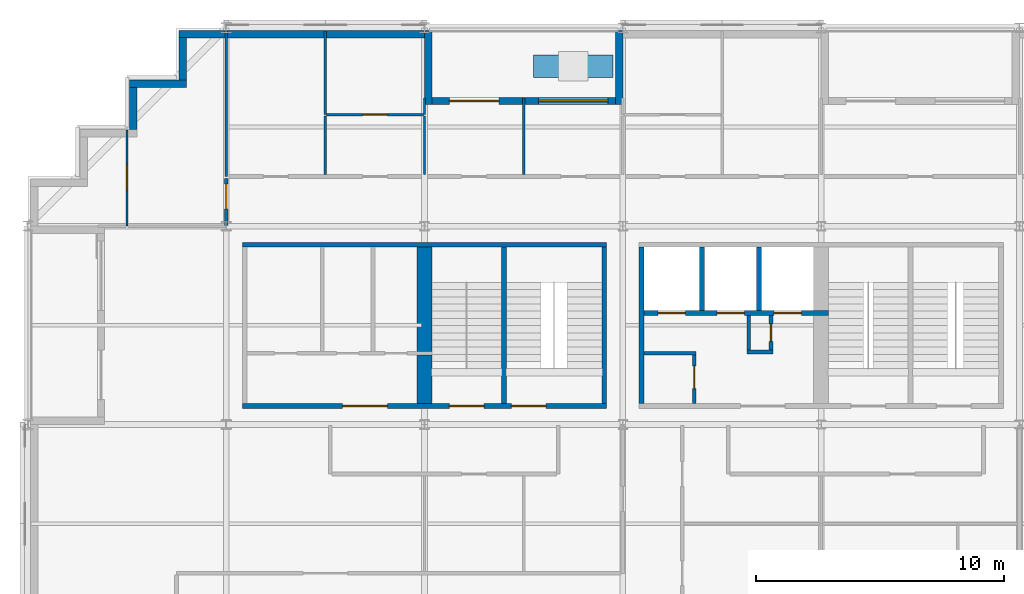
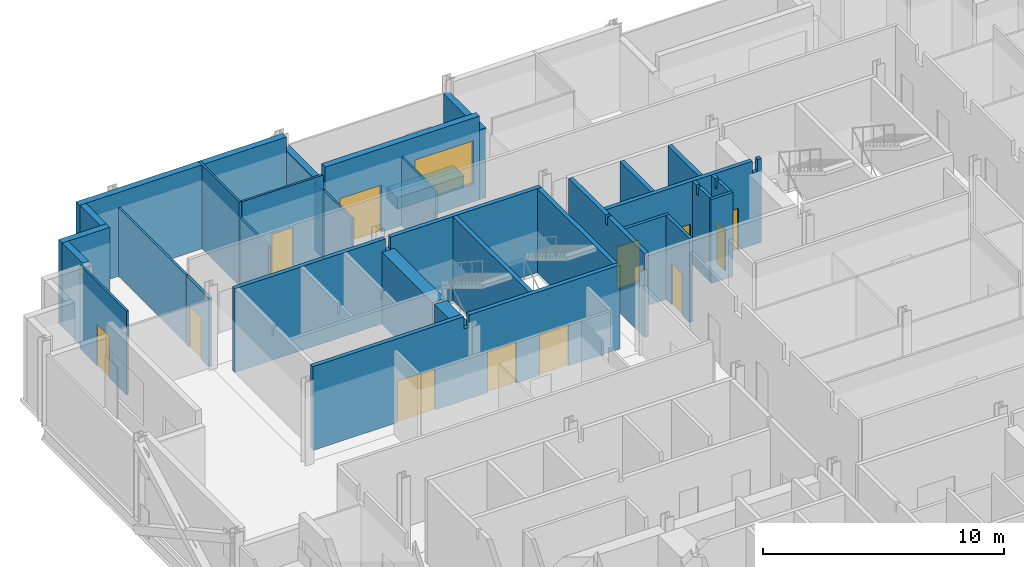
# One storey, part 10 of 15: 32 walls, 12 doors, 1 window, 13 openings.
"""IFC4 building model written with IfcOpenShell, lengths in metres."""

from ifc_helpers import new_model, si_unit, direction, frame, frame_2d, origin, place, context, subcontext, project, spatial, polyline, rectangle, outline, extrude, material, layer, layer_set, type_object, element, fill, save


model = new_model("IFC4")

# Units and contexts
model_context = context("Model", 3, precision=1e-05, world=origin(), true_north=direction((0.0, 1.0)))
body_context = subcontext(model_context, "Body", "Model", "MODEL_VIEW")
ifc_project = project(units=[si_unit("LENGTHUNIT", "METRE"), si_unit("AREAUNIT", "SQUARE_METRE"), si_unit("VOLUMEUNIT", "CUBIC_METRE"), si_unit("PLANEANGLEUNIT", "RADIAN"), si_unit("MASSUNIT", "GRAM", prefix="KILO")], contexts=[model_context])

# Site, building, storey
site_placement = place(None, origin())
site = spatial("IfcSite", under=ifc_project, at=site_placement, CompositionType="ELEMENT")
building_placement = place(site_placement, origin())
building = spatial("IfcBuilding", under=site, at=building_placement, Name="Immortelle Media Tower", CompositionType="ELEMENT")
storey_placement = place(building_placement, frame((0.0, 0.0, 70.0)))
storey = spatial("IfcBuildingStorey", under=building, at=storey_placement, Name="L12", CompositionType="ELEMENT", Elevation=70.0)

# Wall
ifc_material_1 = material(Name="Fire-rated gypsum board", Category="gypsum")
ifc_layer_1 = layer(ifc_material_1, 0.02490234375)
ifc_material_2 = material(Name="Steel ASTM A653 SS Gr 50 stud frame with mineral wool", Category="steel")
ifc_layer_2 = layer(ifc_material_2, 0.10009765625)
ifc_layer_3 = layer(ifc_material_1, 0.02490234375)
ifc_layer_set_1 = layer_set([ifc_layer_1, ifc_layer_2, ifc_layer_3], Name="Steel ASTM A653 SS Gr 50 stud frame with mineral wool")
wall_type_1 = type_object("IfcWallType", Name="Core partition 150", PredefinedType="PARTITIONING", material=ifc_layer_set_1)
wall_1_placement = place(storey_placement, frame((24.85009765625, 34.875, 0.0), z_axis=(0.0, 0.0, 1.0), x_axis=(1.0, 0.0, 0.0)))
element("IfcWall", 1, at=wall_1_placement, inside=storey, type_object=wall_type_1, Name="Core partition NE", PredefinedType="PARTITIONING", context=body_context, shape_type="SweptSolid", body=[
    extrude(rectangle(XDim=2.099853515625, YDim=0.14990234375, at=frame_2d((1.0498046875, 0.0))), origin(), (0.0, 0.0, 1.0), 4.25),
])

# Wall, opening, door
wall_2_placement = place(storey_placement, frame((26.875, 32.85009765625, 0.0), z_axis=(0.0, 0.0, 1.0), x_axis=(0.0, 1.0, 0.0)))
wall_2 = element("IfcWall", 2, at=wall_2_placement, inside=storey, type_object=wall_type_1, Name="Core partition NE", PredefinedType="PARTITIONING", context=body_context, shape_type="SweptSolid", body=[
    extrude(rectangle(XDim=1.949951171875, YDim=0.14990234375, at=frame_2d((0.97509765625, 0.0))), origin(), (0.0, 0.0, 1.0), 4.25),
])
opening_1_placement = place(wall_2_placement, frame((0.60009765625, 0.0, 0.0)))
opening_1 = element("IfcOpeningElement", 3, at=opening_1_placement, cuts=wall_2, Name="Opening N3-K029", PredefinedType="OPENING", context=body_context, shape_type="SweptSolid", body=[
    extrude(rectangle(XDim=0.89990234375, YDim=2.10009765625, at=frame_2d((0.449951171875, 1.050048828125))), frame((0.0, 0.0849609375, 0.0), z_axis=(0.0, -1.0, 0.0), x_axis=(1.0, 0.0, 0.0)), (0.0, 0.0, 1.0), 0.169921875),
])
ifc_material_3 = material(Name="Galvanised steel door leaf and frame ASTM A653", Category="steel")
door_type_1 = type_object("IfcDoorType", Name="Service door 900 x 2100", OperationType="NOTDEFINED", PredefinedType="NOTDEFINED", material=ifc_material_3)
door_1_placement = place(opening_1_placement, origin())
door_1 = element("IfcDoor", 4, at=door_1_placement, inside=storey, type_object=door_type_1, Name="Service N3-K029", OperationType="SINGLE_SWING_LEFT", OverallHeight=2.10009765625, OverallWidth=0.89990234375, PredefinedType="NOTDEFINED", context=body_context, shape_type="SweptSolid", body=[
    extrude(rectangle(XDim=0.89990234375, YDim=2.10009765625, at=frame_2d((0.449951171875, 1.050048828125))), frame((0.0, 0.02490234375, 0.0), z_axis=(0.0, -1.0, 0.0), x_axis=(1.0, 0.0, 0.0)), (0.0, 0.0, 1.0), 0.050048828125),
])
fill(opening_1, door_1)

# Walls
wall_3_placement = place(storey_placement, frame((29.0, 34.925048828125, 0.0), z_axis=(0.0, 0.0, 1.0), x_axis=(1.0, 0.0, 0.0)))
element("IfcWall", 5, at=wall_3_placement, inside=storey, type_object=wall_type_1, Name="Core partition NE", PredefinedType="PARTITIONING", context=body_context, shape_type="SweptSolid", body=[
    extrude(rectangle(XDim=1.050048828125, YDim=0.14990234375, at=frame_2d((0.52490234375, 0.0))), origin(), (0.0, 0.0, 1.0), 4.25),
])
wall_4_placement = place(storey_placement, frame((29.074951171875, 35.0, 0.0), z_axis=(0.0, 0.0, 1.0), x_axis=(0.0, 1.0, 0.0)))
element("IfcWall", 6, at=wall_4_placement, inside=storey, type_object=wall_type_1, Name="Core partition NE", PredefinedType="PARTITIONING", context=body_context, shape_type="SweptSolid", body=[
    extrude(outline(polyline([(0.0, 0.0), (1.39990234375, 0.0), (1.39990234375, 4.25), (1.08154296875, 4.25), (1.08056640625, 3.7890625), (0.91943359375, 3.7890625), (0.91845703125, 4.25), (0.0, 4.25), (0.0, 0.0)])), frame((0.0, 0.074951171875, 0.0), z_axis=(0.0, -1.0, 0.0), x_axis=(1.0, 0.0, 0.0)), (0.0, 0.0, 1.0), 0.14990234375),
])

# Wall, opening, door
wall_5_placement = place(storey_placement, frame((29.97509765625, 35.0, 0.0), z_axis=(0.0, 0.0, 1.0), x_axis=(0.0, 1.0, 0.0)))
wall_5 = element("IfcWall", 7, at=wall_5_placement, inside=storey, type_object=wall_type_1, Name="Core partition NE", PredefinedType="PARTITIONING", context=body_context, shape_type="SweptSolid", body=[
    extrude(outline(polyline([(0.0, 0.0), (1.39990234375, 0.0), (1.39990234375, 4.25), (1.08154296875, 4.25), (1.08056640625, 3.7890625), (0.91943359375, 3.7890625), (0.91845703125, 4.25), (0.0, 4.25), (0.0, 0.0)])), frame((0.0, 0.074951171875, 0.0), z_axis=(0.0, -1.0, 0.0), x_axis=(1.0, 0.0, 0.0)), (0.0, 0.0, 1.0), 0.14990234375),
])
opening_2_placement = place(wall_5_placement, frame((0.35009765625, 0.0, 0.0)))
opening_2 = element("IfcOpeningElement", 8, at=opening_2_placement, cuts=wall_5, Name="Opening N3-K046", PredefinedType="OPENING", context=body_context, shape_type="SweptSolid", body=[
    extrude(rectangle(XDim=0.699951171875, YDim=2.10009765625, at=frame_2d((0.35009765625, 1.050048828125))), frame((0.0, 0.0849609375, 0.0), z_axis=(0.0, -1.0, 0.0), x_axis=(1.0, 0.0, 0.0)), (0.0, 0.0, 1.0), 0.169921875),
])
door_type_2 = type_object("IfcDoorType", Name="Service door 700 x 2100", OperationType="NOTDEFINED", PredefinedType="NOTDEFINED", material=ifc_material_3)
door_2_placement = place(opening_2_placement, origin())
door_2 = element("IfcDoor", 9, at=door_2_placement, inside=storey, type_object=door_type_2, Name="Service N3-K046", OperationType="SINGLE_SWING_LEFT", OverallHeight=2.10009765625, OverallWidth=0.699951171875, PredefinedType="NOTDEFINED", context=body_context, shape_type="SweptSolid", body=[
    extrude(rectangle(XDim=0.699951171875, YDim=2.10009765625, at=frame_2d((0.35009765625, 1.050048828125))), frame((0.0, 0.02490234375, 0.0), z_axis=(0.0, -1.0, 0.0), x_axis=(1.0, 0.0, 0.0)), (0.0, 0.0, 1.0), 0.050048828125),
])
fill(opening_2, door_2)

# Wall
ifc_layer_4 = layer(ifc_material_1, 0.03759765625)
ifc_layer_5 = layer(ifc_material_2, 0.125)
ifc_layer_6 = layer(ifc_material_1, 0.03759765625)
ifc_layer_set_2 = layer_set([ifc_layer_4, ifc_layer_5, ifc_layer_6], Name="Steel ASTM A653 SS Gr 50 stud frame with mineral wool")
wall_type_2 = type_object("IfcWallType", Name="Core shaft wall 200", PredefinedType="PARTITIONING", material=ifc_layer_set_2)
wall_6_placement = place(storey_placement, frame((24.75, 32.85009765625, 0.0), z_axis=(0.0, 0.0, 1.0), x_axis=(0.0, 1.0, 0.0)))
element("IfcWall", 10, at=wall_6_placement, inside=storey, type_object=wall_type_2, Name="Core shaft wall NE", PredefinedType="PARTITIONING", context=body_context, shape_type="SweptSolid", body=[
    extrude(outline(polyline([(0.0, 0.0), (6.2998046875, 0.0), (6.300048828125, 4.25), (3.2314453125, 4.25), (3.23046875, 3.7890625), (3.069580078125, 3.7890625), (3.068603515625, 4.25), (0.0, 4.25), (0.0, 0.0)])), frame((0.0, 0.10009765625, 0.0), z_axis=(0.0, -1.0, 0.0), x_axis=(1.0, 0.0, 0.0)), (0.0, 0.0, 1.0), 0.199951171875),
])

# Wall, openings, doors
wall_7_placement = place(storey_placement, frame((24.85009765625, 36.5, 0.0), z_axis=(0.0, 0.0, 1.0), x_axis=(1.0, 0.0, 0.0)))
wall_7 = element("IfcWall", 11, at=wall_7_placement, inside=storey, type_object=wall_type_2, Name="Core shaft wall NE", PredefinedType="PARTITIONING", context=body_context, shape_type="SweptSolid", body=[
    extrude(outline(polyline([(0.0, 0.0), (7.449951171875, 0.0), (7.449951171875, 4.25), (7.26953125, 4.25), (7.2685546875, 3.632080078125), (7.031494140625, 3.632080078125), (7.030517578125, 4.25), (0.0, 4.25), (0.0, 0.0)])), frame((0.0, 0.10009765625, 0.0), z_axis=(0.0, -1.0, 0.0), x_axis=(1.0, 0.0, 0.0)), (0.0, 0.0, 1.0), 0.199951171875),
])
opening_3_placement = place(wall_7_placement, frame((0.574951171875, 0.0, 0.0)))
opening_3 = element("IfcOpeningElement", 12, at=opening_3_placement, cuts=wall_7, Name="Opening LD", PredefinedType="OPENING", context=body_context, shape_type="SweptSolid", body=[
    extrude(rectangle(XDim=1.10009765625, YDim=2.10009765625, at=frame_2d((0.550048828125, 1.050048828125))), frame((0.0, 0.10986328125, 0.0), z_axis=(0.0, -1.0, 0.0), x_axis=(1.0, 0.0, 0.0)), (0.0, 0.0, 1.0), 0.219970703125),
])
opening_4_placement = place(wall_7_placement, frame((2.949951171875, 0.0, 0.0)))
opening_4 = element("IfcOpeningElement", 13, at=opening_4_placement, cuts=wall_7, Name="Opening LD", PredefinedType="OPENING", context=body_context, shape_type="SweptSolid", body=[
    extrude(rectangle(XDim=1.10009765625, YDim=2.10009765625, at=frame_2d((0.550048828125, 1.050048828125))), frame((0.0, 0.10986328125, 0.0), z_axis=(0.0, -1.0, 0.0), x_axis=(1.0, 0.0, 0.0)), (0.0, 0.0, 1.0), 0.219970703125),
])
opening_5_placement = place(wall_7_placement, frame((5.25, 0.0, 0.0)))
opening_5 = element("IfcOpeningElement", 14, at=opening_5_placement, cuts=wall_7, Name="Opening LD", PredefinedType="OPENING", context=body_context, shape_type="SweptSolid", body=[
    extrude(rectangle(XDim=1.10009765625, YDim=2.10009765625, at=frame_2d((0.550048828125, 1.050048828125))), frame((0.0, 0.10986328125, 0.0), z_axis=(0.0, -1.0, 0.0), x_axis=(1.0, 0.0, 0.0)), (0.0, 0.0, 1.0), 0.219970703125),
])
ifc_material_4 = material(Name="Stainless steel AISI 304", Category="steel")
door_type_3 = type_object("IfcDoorType", Name="Landing door 1100 x 2100", OperationType="SLIDING_TO_LEFT", PredefinedType="NOTDEFINED", material=ifc_material_4)
door_3_placement = place(opening_3_placement, origin())
door_3 = element("IfcDoor", 15, at=door_3_placement, inside=storey, type_object=door_type_3, Name="Landing door LR1 L12", OperationType="SLIDING_TO_LEFT", OverallHeight=2.10009765625, OverallWidth=1.10009765625, PredefinedType="NOTDEFINED", context=body_context, shape_type="SweptSolid", body=[
    extrude(rectangle(XDim=1.10009765625, YDim=2.10009765625, at=frame_2d((0.550048828125, 1.050048828125))), frame((0.0, 0.02490234375, 0.0), z_axis=(0.0, -1.0, 0.0), x_axis=(1.0, 0.0, 0.0)), (0.0, 0.0, 1.0), 0.050048828125),
])
fill(opening_3, door_3)
door_4_placement = place(opening_4_placement, origin())
door_4 = element("IfcDoor", 16, at=door_4_placement, inside=storey, type_object=door_type_3, Name="Landing door LR2 L12", OperationType="SLIDING_TO_LEFT", OverallHeight=2.10009765625, OverallWidth=1.10009765625, PredefinedType="NOTDEFINED", context=body_context, shape_type="SweptSolid", body=[
    extrude(rectangle(XDim=1.10009765625, YDim=2.10009765625, at=frame_2d((0.550048828125, 1.050048828125))), frame((0.0, 0.02490234375, 0.0), z_axis=(0.0, -1.0, 0.0), x_axis=(1.0, 0.0, 0.0)), (0.0, 0.0, 1.0), 0.050048828125),
])
fill(opening_4, door_4)
door_5_placement = place(opening_5_placement, origin())
door_5 = element("IfcDoor", 17, at=door_5_placement, inside=storey, type_object=door_type_3, Name="Landing door LR3 L12", OperationType="SLIDING_TO_LEFT", OverallHeight=2.10009765625, OverallWidth=1.10009765625, PredefinedType="NOTDEFINED", context=body_context, shape_type="SweptSolid", body=[
    extrude(rectangle(XDim=1.10009765625, YDim=2.10009765625, at=frame_2d((0.550048828125, 1.050048828125))), frame((0.0, 0.02490234375, 0.0), z_axis=(0.0, -1.0, 0.0), x_axis=(1.0, 0.0, 0.0)), (0.0, 0.0, 1.0), 0.050048828125),
])
fill(opening_5, door_5)

# Walls
for number, where, z_axis, x_axis, name in (
    (18, (27.199951171875, 36.60009765625, 0.0), (0.0, 0.0, 1.0), (0.0, 1.0, 0.0), "Core shaft wall NE"),
    (19, (29.5, 36.60009765625, 0.0), (0.0, 0.0, 1.0), (0.0, 1.0, 0.0), "Core shaft wall NE"),
):
    element("IfcWall", number, at=place(storey_placement, frame(where, z_axis=z_axis, x_axis=x_axis)), inside=storey, type_object=wall_type_2, Name=name, PredefinedType="PARTITIONING", context=body_context, shape_type="SweptSolid", body=[
        extrude(rectangle(XDim=2.5498046875, YDim=0.199951171875, at=frame_2d((1.27490234375, 0.0))), origin(), (0.0, 0.0, 1.0), 4.25),
    ])

# Wall, opening, door
ifc_layer_7 = layer(ifc_material_1, 0.012451171875)
ifc_layer_8 = layer(ifc_material_2, 0.125)
ifc_layer_9 = layer(ifc_material_1, 0.012451171875)
ifc_layer_set_3 = layer_set([ifc_layer_7, ifc_layer_8, ifc_layer_9], Name="Steel ASTM A653 SS Gr 50 stud frame with mineral wool")
wall_type_3 = type_object("IfcWallType", Name="Corridor wall 150", PredefinedType="PARTITIONING", material=ifc_layer_set_3)
wall_8_placement = place(storey_placement, frame((8.0, 40.030029296875, 0.0), z_axis=(0.0, 0.0, 1.0), x_axis=(0.0, 1.0, 0.0)))
wall_8 = element("IfcWall", 20, at=wall_8_placement, inside=storey, type_object=wall_type_3, Name="Partition L12-054", PredefinedType="PARTITIONING", context=body_context, shape_type="SweptSolid", body=[
    extrude(rectangle(XDim=1.89501953125, YDim=0.14990234375, at=frame_2d((0.947509765625, 0.0))), origin(), (0.0, 0.0, 1.0), 3.469970703125),
])
opening_6_placement = place(wall_8_placement, frame((0.669921875, 0.0, 0.0)))
opening_6 = element("IfcOpeningElement", 21, at=opening_6_placement, cuts=wall_8, Name="Opening N3-F029", PredefinedType="OPENING", context=body_context, shape_type="SweptSolid", body=[
    extrude(rectangle(XDim=1.0, YDim=2.10009765625, at=frame_2d((0.5, 1.050048828125))), frame((0.0, 0.0849609375, 0.0), z_axis=(0.0, -1.0, 0.0), x_axis=(1.0, 0.0, 0.0)), (0.0, 0.0, 1.0), 0.169921875),
])
ifc_material_5 = material(Name="Timber veneered door leaf, galvanised steel frame ASTM A653", Category="steel")
door_type_4 = type_object("IfcDoorType", Name="Room door 1000 x 2100", OperationType="NOTDEFINED", PredefinedType="DOOR", material=ifc_material_5)
door_6_placement = place(opening_6_placement, origin())
door_6 = element("IfcDoor", 22, at=door_6_placement, inside=storey, type_object=door_type_4, Name="Door N3-F029", OperationType="SINGLE_SWING_LEFT", OverallHeight=2.10009765625, OverallWidth=1.0, PredefinedType="DOOR", context=body_context, shape_type="SweptSolid", body=[
    extrude(rectangle(XDim=1.0, YDim=2.10009765625, at=frame_2d((0.5, 1.050048828125))), frame((0.0, 0.02490234375, 0.0), z_axis=(0.0, -1.0, 0.0), x_axis=(1.0, 0.0, 0.0)), (0.0, 0.0, 1.0), 0.050048828125),
])
fill(opening_6, door_6)

# Wall, openings, door, window
ifc_material_6 = material(Name="Pale aluminium cladding panel", Category="aluminium")
ifc_layer_10 = layer(ifc_material_6, 0.030029296875)
ifc_layer_11 = layer(ifc_material_2, 0.257568359375)
ifc_material_7 = material(Name="Moisture-resistant gypsum board", Category="gypsum")
ifc_layer_12 = layer(ifc_material_7, 0.012451171875)
ifc_layer_set_4 = layer_set([ifc_layer_10, ifc_layer_11, ifc_layer_12], Name="Steel ASTM A653 SS Gr 50 stud frame with mineral wool")
wall_type_4 = type_object("IfcWallType", Name="Facade wall 300", PredefinedType="SOLIDWALL", material=ifc_layer_set_4)
wall_9_placement = place(storey_placement, frame((23.699951171875, 45.050048828125, 0.0), z_axis=(0.0, 0.0, 1.0), x_axis=(-1.0, 0.0, 0.0)))
wall_9 = element("IfcWall", 23, at=wall_9_placement, inside=storey, type_object=wall_type_4, Name="Loggia wall L12 N21", PredefinedType="SOLIDWALL", context=body_context, shape_type="SweptSolid", body=[
    extrude(rectangle(XDim=7.39990234375, YDim=0.300048828125, at=frame_2d((3.699951171875, 0.0))), origin(), (0.0, 0.0, 1.0), 4.25),
])
opening_7_placement = place(wall_9_placement, frame((0.300048828125, 0.0, 0.89990234375)))
opening_7 = element("IfcOpeningElement", 24, at=opening_7_placement, cuts=wall_9, Name="Opening W1", PredefinedType="OPENING", context=body_context, shape_type="SweptSolid", body=[
    extrude(rectangle(XDim=2.800048828125, YDim=2.199951171875, at=frame_2d((1.39990234375, 1.10009765625))), frame((0.0, 0.159912109375, 0.0), z_axis=(0.0, -1.0, 0.0), x_axis=(1.0, 0.0, 0.0)), (0.0, 0.0, 1.0), 0.320068359375),
])
opening_8_placement = place(wall_9_placement, frame((4.699951171875, 0.0, 0.0)))
opening_8 = element("IfcOpeningElement", 25, at=opening_8_placement, cuts=wall_9, Name="Opening N3-E008", PredefinedType="OPENING", context=body_context, shape_type="SweptSolid", body=[
    extrude(rectangle(XDim=2.0, YDim=2.39990234375, at=frame_2d((1.0, 1.199951171875))), frame((0.0, 0.159912109375, 0.0), z_axis=(0.0, -1.0, 0.0), x_axis=(1.0, 0.0, 0.0)), (0.0, 0.0, 1.0), 0.320068359375),
])
ifc_material_8 = material(Name="Aluminium frame, glazed leaves", Category="aluminium")
door_type_5 = type_object("IfcDoorType", Name="Loggia door 2000 x 2400", OperationType="DOUBLE_DOOR_SINGLE_SWING", PredefinedType="DOOR", material=ifc_material_8)
door_7_placement = place(opening_8_placement, origin())
door_7 = element("IfcDoor", 26, at=door_7_placement, inside=storey, type_object=door_type_5, Name="Door N3-E008", OperationType="DOUBLE_DOOR_SINGLE_SWING", OverallHeight=2.39990234375, OverallWidth=2.0, PredefinedType="DOOR", context=body_context, shape_type="SweptSolid", body=[
    extrude(rectangle(XDim=2.0, YDim=2.39990234375, at=frame_2d((1.0, 1.199951171875))), frame((0.0, 0.02490234375, 0.0), z_axis=(0.0, -1.0, 0.0), x_axis=(1.0, 0.0, 0.0)), (0.0, 0.0, 1.0), 0.050048828125),
])
fill(opening_8, door_7)
ifc_material_9 = material(Name="Aluminium frame", Category="aluminium")
window_type = type_object("IfcWindowType", Name="Window 2800 x 2200", PartitioningType="SINGLE_PANEL", PredefinedType="WINDOW", material=ifc_material_9)
window_placement = place(opening_7_placement, origin())
window = element("IfcWindow", 27, at=window_placement, inside=storey, type_object=window_type, Name="Window L12 L12-R21-B2", OverallHeight=2.199951171875, OverallWidth=2.800048828125, PartitioningType="SINGLE_PANEL", PredefinedType="WINDOW", context=body_context, shape_type="SweptSolid", body=[
    extrude(rectangle(XDim=2.800048828125, YDim=2.199951171875, at=frame_2d((1.39990234375, 1.10009765625))), frame((0.0, 0.030029296875, 0.0), z_axis=(0.0, -1.0, 0.0), x_axis=(1.0, 0.0, 0.0)), (0.0, 0.0, 1.0), 0.06005859375),
])
fill(opening_7, window)

# Walls
for number, where, z_axis, x_axis, name in (
    (28, (23.85009765625, 47.89990234375, 0.0), (0.0, 0.0, 1.0), (0.0, -1.0, 0.0), "Loggia cheek wall L12 N"),
    (29, (16.14990234375, 47.89990234375, 0.0), (0.0, 0.0, 1.0), (0.0, -1.0, 0.0), "Loggia cheek wall L12 N"),
):
    element("IfcWall", number, at=place(storey_placement, frame(where, z_axis=z_axis, x_axis=x_axis)), inside=storey, type_object=wall_type_4, Name=name, PredefinedType="SOLIDWALL", context=body_context, shape_type="SweptSolid", body=[
        extrude(rectangle(XDim=3.0, YDim=0.300048828125, at=frame_2d((1.5, 0.0))), origin(), (0.0, 0.0, 1.0), 3.555908203125),
    ])
wall_10_placement = place(storey_placement, frame((16.0, 47.75, 0.0), z_axis=(0.0, 0.0, 1.0), x_axis=(-1.0, 0.0, 0.0)))
element("IfcWall", 30, at=wall_10_placement, inside=storey, type_object=wall_type_4, Name="Facade wall L12 N21", PredefinedType="SOLIDWALL", context=body_context, shape_type="SweptSolid", body=[
    extrude(rectangle(XDim=9.89990234375, YDim=0.300048828125, at=frame_2d((4.949951171875, 0.0))), origin(), (0.0, 0.0, 1.0), 4.25),
])
wall_11_placement = place(storey_placement, frame((6.25, 47.60009765625, 0.0), z_axis=(0.0, 0.0, 1.0), x_axis=(0.0, -1.0, 0.0)))
element("IfcWall", 31, at=wall_11_placement, inside=storey, type_object=wall_type_4, Name="Facade wall L12 W22", PredefinedType="SOLIDWALL", context=body_context, shape_type="SweptSolid", body=[
    extrude(rectangle(XDim=1.7001953125, YDim=0.300048828125, at=frame_2d((0.85009765625, 0.0))), origin(), (0.0, 0.0, 1.0), 4.25),
])
wall_12_placement = place(storey_placement, frame((6.39990234375, 45.75, 0.0), z_axis=(0.0, 0.0, 1.0), x_axis=(-1.0, 0.0, 0.0)))
element("IfcWall", 32, at=wall_12_placement, inside=storey, type_object=wall_type_4, Name="Facade wall L12 N23", PredefinedType="SOLIDWALL", context=body_context, shape_type="SweptSolid", body=[
    extrude(rectangle(XDim=2.2998046875, YDim=0.300048828125, at=frame_2d((1.14990234375, 0.0))), origin(), (0.0, 0.0, 1.0), 4.25),
])
wall_13_placement = place(storey_placement, frame((4.25, 45.60009765625, 0.0), z_axis=(0.0, 0.0, 1.0), x_axis=(0.0, -1.0, 0.0)))
element("IfcWall", 33, at=wall_13_placement, inside=storey, type_object=wall_type_4, Name="Facade wall L12 W24", PredefinedType="SOLIDWALL", context=body_context, shape_type="SweptSolid", body=[
    extrude(rectangle(XDim=1.7001953125, YDim=0.300048828125, at=frame_2d((0.85009765625, 0.0))), origin(), (0.0, 0.0, 1.0), 4.25),
])

# Wall, opening, door
ifc_material_10 = material(Name="Gypsum board", Category="gypsum")
ifc_layer_13 = layer(ifc_material_10, 0.012451171875)
ifc_layer_14 = layer(ifc_material_2, 0.074951171875)
ifc_layer_15 = layer(ifc_material_10, 0.012451171875)
ifc_layer_set_5 = layer_set([ifc_layer_13, ifc_layer_14, ifc_layer_15], Name="Steel ASTM A653 SS Gr 50 stud frame with mineral wool")
wall_type_5 = type_object("IfcWallType", Name="Partition 100", PredefinedType="PARTITIONING", material=ifc_layer_set_5)
wall_14_placement = place(storey_placement, frame((4.0, 40.0, 0.0), z_axis=(0.0, 0.0, 1.0), x_axis=(0.0, 1.0, 0.0)))
wall_14 = element("IfcWall", 34, at=wall_14_placement, inside=storey, type_object=wall_type_5, Name="Partition L12-051", PredefinedType="PARTITIONING", context=body_context, shape_type="SweptSolid", body=[
    extrude(rectangle(XDim=3.8701171875, YDim=0.10009765625, at=frame_2d((1.93505859375, 0.0))), origin(), (0.0, 0.0, 1.0), 4.25),
])
opening_9_placement = place(wall_14_placement, frame((1.449951171875, 0.0, 0.0)))
opening_9 = element("IfcOpeningElement", 35, at=opening_9_placement, cuts=wall_14, Name="Opening N3-F030", PredefinedType="OPENING", context=body_context, shape_type="SweptSolid", body=[
    extrude(rectangle(XDim=1.0, YDim=2.10009765625, at=frame_2d((0.5, 1.050048828125))), frame((0.0, 0.06005859375, 0.0), z_axis=(0.0, -1.0, 0.0), x_axis=(1.0, 0.0, 0.0)), (0.0, 0.0, 1.0), 0.1201171875),
])
door_8_placement = place(opening_9_placement, origin())
door_8 = element("IfcDoor", 36, at=door_8_placement, inside=storey, type_object=door_type_4, Name="Door N3-F030", OperationType="SINGLE_SWING_LEFT", OverallHeight=2.10009765625, OverallWidth=1.0, PredefinedType="DOOR", context=body_context, shape_type="SweptSolid", body=[
    extrude(rectangle(XDim=1.0, YDim=2.10009765625, at=frame_2d((0.5, 1.050048828125))), frame((0.0, 0.02490234375, 0.0), z_axis=(0.0, -1.0, 0.0), x_axis=(1.0, 0.0, 0.0)), (0.0, 0.0, 1.0), 0.050048828125),
])
fill(opening_9, door_8)

# Walls
wall_15_placement = place(storey_placement, frame((8.0, 42.0, 0.0), z_axis=(0.0, 0.0, 1.0), x_axis=(0.0, 1.0, 0.0)))
element("IfcWall", 37, at=wall_15_placement, inside=storey, type_object=wall_type_5, Name="Partition L12-056", PredefinedType="PARTITIONING", context=body_context, shape_type="SweptSolid", body=[
    extrude(rectangle(XDim=5.8701171875, YDim=0.10009765625, at=frame_2d((2.93505859375, 0.0))), origin(), (0.0, 0.0, 1.0), 3.469970703125),
])
for number, where, z_axis, x_axis, name in (
    (38, (12.0, 42.074951171875, 0.0), (0.0, 0.0, 1.0), (0.0, 1.0, 0.0), "Partition L12-057"),
    (39, (16.0, 42.074951171875, 0.0), (0.0, 0.0, 1.0), (0.0, 1.0, 0.0), "Partition L12-058"),
):
    element("IfcWall", number, at=place(storey_placement, frame(where, z_axis=z_axis, x_axis=x_axis)), inside=storey, type_object=wall_type_5, Name=name, PredefinedType="PARTITIONING", context=body_context, shape_type="SweptSolid", body=[
        extrude(rectangle(XDim=2.375, YDim=0.10009765625, at=frame_2d((1.1875, 0.0))), origin(), (0.0, 0.0, 1.0), 3.469970703125),
    ])
wall_16_placement = place(storey_placement, frame((20.0, 42.074951171875, 0.0), z_axis=(0.0, 0.0, 1.0), x_axis=(0.0, 1.0, 0.0)))
element("IfcWall", 40, at=wall_16_placement, inside=storey, type_object=wall_type_5, Name="Partition L12-059", PredefinedType="PARTITIONING", context=body_context, shape_type="SweptSolid", body=[
    extrude(rectangle(XDim=3.094970703125, YDim=0.10009765625, at=frame_2d((1.54736328125, 0.0))), origin(), (0.0, 0.0, 1.0), 3.469970703125),
])

# Wall, opening, door
wall_17_placement = place(storey_placement, frame((12.050048828125, 44.5, 0.0), z_axis=(0.0, 0.0, 1.0), x_axis=(1.0, 0.0, 0.0)))
wall_17 = element("IfcWall", 41, at=wall_17_placement, inside=storey, type_object=wall_type_5, Name="Partition L12-064", PredefinedType="PARTITIONING", context=body_context, shape_type="SweptSolid", body=[
    extrude(rectangle(XDim=3.89990234375, YDim=0.10009765625, at=frame_2d((1.949951171875, 0.0))), origin(), (0.0, 0.0, 1.0), 4.25),
])
opening_10_placement = place(wall_17_placement, frame((1.449951171875, 0.0, 0.0)))
opening_10 = element("IfcOpeningElement", 42, at=opening_10_placement, cuts=wall_17, Name="Opening N3-F037", PredefinedType="OPENING", context=body_context, shape_type="SweptSolid", body=[
    extrude(rectangle(XDim=1.0, YDim=2.10009765625, at=frame_2d((0.5, 1.050048828125))), frame((0.0, 0.06005859375, 0.0), z_axis=(0.0, -1.0, 0.0), x_axis=(1.0, 0.0, 0.0)), (0.0, 0.0, 1.0), 0.1201171875),
])
door_9_placement = place(opening_10_placement, origin())
door_9 = element("IfcDoor", 43, at=door_9_placement, inside=storey, type_object=door_type_4, Name="Door N3-F037", OperationType="SINGLE_SWING_LEFT", OverallHeight=2.10009765625, OverallWidth=1.0, PredefinedType="DOOR", context=body_context, shape_type="SweptSolid", body=[
    extrude(rectangle(XDim=1.0, YDim=2.10009765625, at=frame_2d((0.5, 1.050048828125))), frame((0.0, 0.02490234375, 0.0), z_axis=(0.0, -1.0, 0.0), x_axis=(1.0, 0.0, 0.0)), (0.0, 0.0, 1.0), 0.050048828125),
])
fill(opening_10, door_9)

# Walls
wall_18_placement = place(storey_placement, frame((12.0, 44.5, 0.0), z_axis=(0.0, 0.0, 1.0), x_axis=(0.0, 1.0, 0.0)))
element("IfcWall", 44, at=wall_18_placement, inside=storey, type_object=wall_type_5, Name="Partition L12-065", PredefinedType="PARTITIONING", context=body_context, shape_type="SweptSolid", body=[
    extrude(rectangle(XDim=3.3701171875, YDim=0.10009765625, at=frame_2d((1.68505859375, 0.0))), origin(), (0.0, 0.0, 1.0), 4.25),
])
wall_19_placement = place(storey_placement, frame((16.0, 44.5, 0.0), z_axis=(0.0, 0.0, 1.0), x_axis=(0.0, 1.0, 0.0)))
element("IfcWall", 45, at=wall_19_placement, inside=storey, type_object=wall_type_5, Name="Partition L12-066", PredefinedType="PARTITIONING", context=body_context, shape_type="SweptSolid", body=[
    extrude(rectangle(XDim=0.669921875, YDim=0.10009765625, at=frame_2d((0.3349609375, 0.0))), origin(), (0.0, 0.0, 1.0), 3.469970703125),
])
ifc_layer_16 = layer(ifc_material_6, 0.0029296875)
ifc_material_11 = material(Name="Steel ASTM A572 Gr 50 planter shell", Category="steel")
ifc_layer_17 = layer(ifc_material_11, 0.011962890625)
ifc_material_12 = material(Name="Planting substrate", Category="soil")
ifc_layer_18 = layer(ifc_material_12, 0.873046875)
ifc_layer_19 = layer(ifc_material_11, 0.011962890625)
ifc_layer_set_6 = layer_set([ifc_layer_16, ifc_layer_17, ifc_layer_18, ifc_layer_19], Name="Steel ASTM A572 Gr 50 planter shell")
wall_type_6 = type_object("IfcWallType", Name="Planter wall 900", PredefinedType="SOLIDWALL", material=ifc_layer_set_6)
wall_20_placement = place(storey_placement, frame((23.60009765625, 46.449951171875, 0.0), z_axis=(0.0, 0.0, 1.0), x_axis=(-1.0, 0.0, 0.0)))
element("IfcWall", 46, at=wall_20_placement, inside=storey, type_object=wall_type_6, Name="Planter L12 N2", PredefinedType="SOLIDWALL", context=body_context, shape_type="SweptSolid", body=[
    extrude(rectangle(XDim=3.2001953125, YDim=0.89990234375, at=frame_2d((1.60009765625, 0.0))), origin(), (0.0, 0.0, 1.0), 0.60009765625),
])

# Wall, openings, doors
ifc_material_13 = material(Name="Concrete C60", Category="concrete")
ifc_layer_20 = layer(ifc_material_13, 0.199951171875)
ifc_layer_set_7 = layer_set([ifc_layer_20], Name="Concrete C60")
wall_type_7 = type_object("IfcWallType", Name="Stair shaft wall 200", PredefinedType="PARTITIONING", material=ifc_layer_set_7)
wall_21_placement = place(storey_placement, frame((8.64990234375, 32.75, 0.0), z_axis=(0.0, 0.0, 1.0), x_axis=(1.0, 0.0, 0.0)))
wall_21 = element("IfcWall", 47, at=wall_21_placement, inside=storey, type_object=wall_type_7, Name="Stair shaft wall NW", PredefinedType="PARTITIONING", context=body_context, shape_type="SweptSolid", body=[
    extrude(outline(polyline([(0.0, 0.0), (14.7001953125, 0.0), (14.699951171875, 4.25), (7.469482421875, 4.25), (7.468505859375, 3.632080078125), (7.2314453125, 3.632080078125), (7.23046875, 4.25), (0.0, 4.25), (0.0, 0.0)])), frame((0.0, 0.10009765625, 0.0), z_axis=(0.0, -1.0, 0.0), x_axis=(1.0, 0.0, 0.0)), (0.0, 0.0, 1.0), 0.199951171875),
])
opening_11_placement = place(wall_21_placement, frame((4.050048828125, 0.0, 0.0)))
opening_11 = element("IfcOpeningElement", 48, at=opening_11_placement, cuts=wall_21, Name="Opening N3-K024", PredefinedType="OPENING", context=body_context, shape_type="SweptSolid", body=[
    extrude(rectangle(XDim=1.800048828125, YDim=2.10009765625, at=frame_2d((0.89990234375, 1.050048828125))), frame((0.0, 0.10986328125, 0.0), z_axis=(0.0, -1.0, 0.0), x_axis=(1.0, 0.0, 0.0)), (0.0, 0.0, 1.0), 0.219970703125),
])
opening_12_placement = place(wall_21_placement, frame((8.35009765625, 0.0, 0.0)))
opening_12 = element("IfcOpeningElement", 49, at=opening_12_placement, cuts=wall_21, Name="Opening N3-K026", PredefinedType="OPENING", context=body_context, shape_type="SweptSolid", body=[
    extrude(rectangle(XDim=1.39990234375, YDim=2.10009765625, at=frame_2d((0.699951171875, 1.050048828125))), frame((0.0, 0.10986328125, 0.0), z_axis=(0.0, -1.0, 0.0), x_axis=(1.0, 0.0, 0.0)), (0.0, 0.0, 1.0), 0.219970703125),
])
opening_13_placement = place(wall_21_placement, frame((10.85009765625, 0.0, 0.0)))
opening_13 = element("IfcOpeningElement", 50, at=opening_13_placement, cuts=wall_21, Name="Opening N3-K027", PredefinedType="OPENING", context=body_context, shape_type="SweptSolid", body=[
    extrude(rectangle(XDim=1.39990234375, YDim=2.10009765625, at=frame_2d((0.699951171875, 1.050048828125))), frame((0.0, 0.10986328125, 0.0), z_axis=(0.0, -1.0, 0.0), x_axis=(1.0, 0.0, 0.0)), (0.0, 0.0, 1.0), 0.219970703125),
])
door_type_6 = type_object("IfcDoorType", Name="Lift lobby door 1800 x 2100", OperationType="DOUBLE_DOOR_SINGLE_SWING", PredefinedType="NOTDEFINED", material=ifc_material_3)
door_10_placement = place(opening_11_placement, origin())
door_10 = element("IfcDoor", 51, at=door_10_placement, inside=storey, type_object=door_type_6, Name="Lift lobby N3-K024", OperationType="DOUBLE_DOOR_SINGLE_SWING", OverallHeight=2.10009765625, OverallWidth=1.800048828125, PredefinedType="NOTDEFINED", context=body_context, shape_type="SweptSolid", body=[
    extrude(rectangle(XDim=1.800048828125, YDim=2.10009765625, at=frame_2d((0.89990234375, 1.050048828125))), frame((0.0, 0.02490234375, 0.0), z_axis=(0.0, -1.0, 0.0), x_axis=(1.0, 0.0, 0.0)), (0.0, 0.0, 1.0), 0.050048828125),
])
fill(opening_11, door_10)
door_type_7 = type_object("IfcDoorType", Name="Stair door 1400 x 2100", OperationType="DOUBLE_DOOR_SINGLE_SWING", PredefinedType="NOTDEFINED", material=ifc_material_3)
door_11_placement = place(opening_12_placement, origin())
door_11 = element("IfcDoor", 52, at=door_11_placement, inside=storey, type_object=door_type_7, Name="Stair N3-K026", OperationType="DOUBLE_DOOR_SINGLE_SWING", OverallHeight=2.10009765625, OverallWidth=1.39990234375, PredefinedType="NOTDEFINED", context=body_context, shape_type="SweptSolid", body=[
    extrude(rectangle(XDim=1.39990234375, YDim=2.10009765625, at=frame_2d((0.699951171875, 1.050048828125))), frame((0.0, 0.02490234375, 0.0), z_axis=(0.0, -1.0, 0.0), x_axis=(1.0, 0.0, 0.0)), (0.0, 0.0, 1.0), 0.050048828125),
])
fill(opening_12, door_11)
door_12_placement = place(opening_13_placement, origin())
door_12 = element("IfcDoor", 53, at=door_12_placement, inside=storey, type_object=door_type_7, Name="Stair N3-K027", OperationType="DOUBLE_DOOR_SINGLE_SWING", OverallHeight=2.10009765625, OverallWidth=1.39990234375, PredefinedType="NOTDEFINED", context=body_context, shape_type="SweptSolid", body=[
    extrude(rectangle(XDim=1.39990234375, YDim=2.10009765625, at=frame_2d((0.699951171875, 1.050048828125))), frame((0.0, 0.02490234375, 0.0), z_axis=(0.0, -1.0, 0.0), x_axis=(1.0, 0.0, 0.0)), (0.0, 0.0, 1.0), 0.050048828125),
])
fill(opening_13, door_12)

# Walls
wall_22_placement = place(storey_placement, frame((8.64990234375, 39.25, 0.0), z_axis=(0.0, 0.0, 1.0), x_axis=(1.0, 0.0, 0.0)))
element("IfcWall", 54, at=wall_22_placement, inside=storey, type_object=wall_type_7, Name="Stair shaft wall NW", PredefinedType="PARTITIONING", context=body_context, shape_type="SweptSolid", body=[
    extrude(outline(polyline([(0.0, 0.0), (14.7001953125, 0.0), (14.699951171875, 4.25), (7.469482421875, 4.25), (7.468505859375, 3.632080078125), (7.2314453125, 3.632080078125), (7.23046875, 4.25), (0.0, 4.25), (0.0, 0.0)])), frame((0.0, 0.10009765625, 0.0), z_axis=(0.0, -1.0, 0.0), x_axis=(1.0, 0.0, 0.0)), (0.0, 0.0, 1.0), 0.199951171875),
])
for number, where, z_axis, x_axis, name in (
    (55, (19.199951171875, 32.85009765625, 0.0), (0.0, 0.0, 1.0), (0.0, 1.0, 0.0), "Stair shaft wall NW"),
    (56, (23.25, 32.85009765625, 0.0), (0.0, 0.0, 1.0), (0.0, 1.0, 0.0), "Stair shaft wall NW"),
):
    element("IfcWall", number, at=place(storey_placement, frame(where, z_axis=z_axis, x_axis=x_axis)), inside=storey, type_object=wall_type_7, Name=name, PredefinedType="PARTITIONING", context=body_context, shape_type="SweptSolid", body=[
        extrude(rectangle(XDim=6.2998046875, YDim=0.199951171875, at=frame_2d((3.14990234375, 0.0))), origin(), (0.0, 0.0, 1.0), 4.25),
    ])
ifc_layer_21 = layer(ifc_material_13, 0.60009765625)
ifc_layer_set_8 = layer_set([ifc_layer_21], Name="Concrete C60")
wall_type_8 = type_object("IfcWallType", Name="Stair shaft wall 600", PredefinedType="PARTITIONING", material=ifc_layer_set_8)
wall_23_placement = place(storey_placement, frame((16.0, 32.85009765625, 0.0), z_axis=(0.0, 0.0, 1.0), x_axis=(0.0, 1.0, 0.0)))
element("IfcWall", 57, at=wall_23_placement, inside=storey, type_object=wall_type_8, Name="Stair shaft wall NW", PredefinedType="PARTITIONING", context=body_context, shape_type="SweptSolid", body=[
    extrude(rectangle(XDim=1.949951171875, YDim=0.60009765625, at=frame_2d((0.97509765625, 0.0))), origin(), (0.0, 0.0, 1.0), 3.632080078125),
])
wall_24_placement = place(storey_placement, frame((16.0, 34.949951171875, 0.0), z_axis=(0.0, 0.0, 1.0), x_axis=(0.0, 1.0, 0.0)))
element("IfcWall", 58, at=wall_24_placement, inside=storey, type_object=wall_type_8, Name="Stair shaft wall NW", PredefinedType="PARTITIONING", context=body_context, shape_type="SweptSolid", body=[
    extrude(rectangle(XDim=4.199951171875, YDim=0.60009765625, at=frame_2d((2.10009765625, 0.0))), origin(), (0.0, 0.0, 1.0), 3.632080078125),
])

save(model, "model.ifc")
